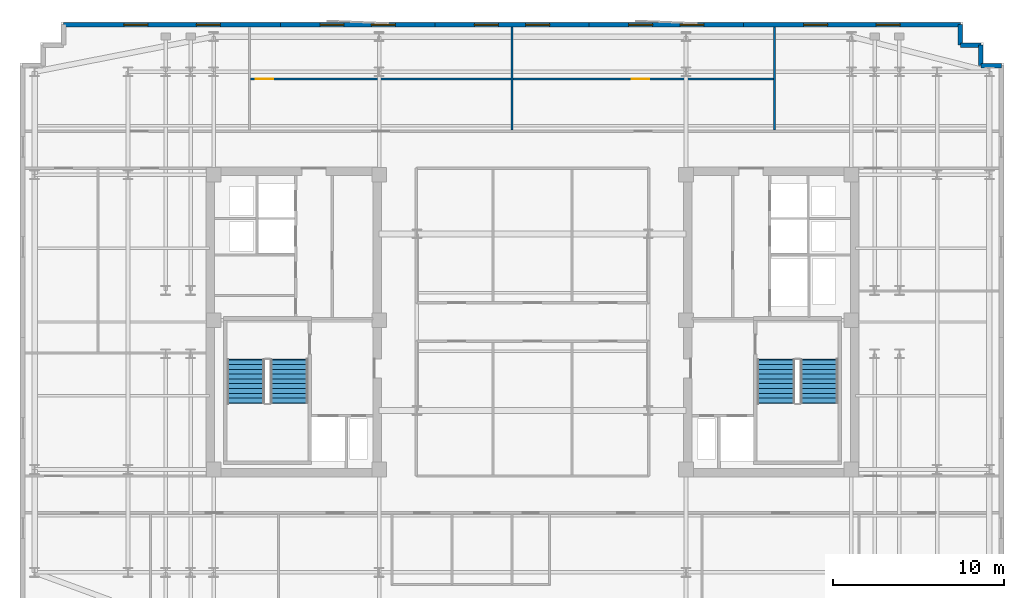
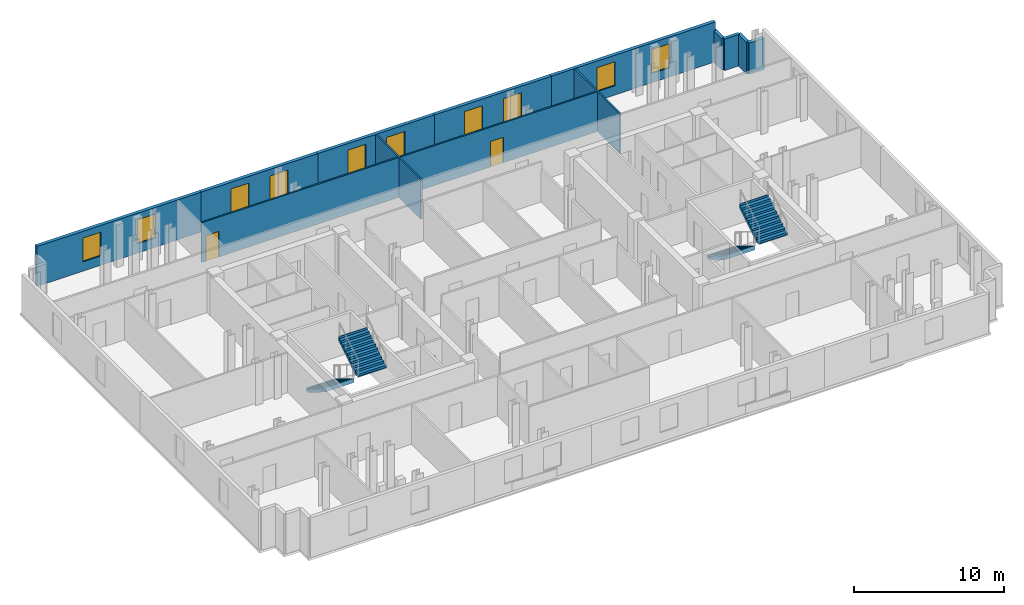
# One storey, part 7 of 9: 12 walls, 10 windows, 4 stair flights, 2 doors, 12 openings, 2 elements without a shape of their own.
"""IFC4 building model written with IfcOpenShell, lengths in metres."""

import ifcopenshell
import ifcopenshell.guid

model = None  # the IFC model being written
_history = None  # IfcOwnerHistory: only IFC2X3 demands one
_inside = {}  # id of a spatial element -> (the spatial element, [elements in it])
_under = {}  # id of a project, library or spatial element -> (it, [spatial elements below it])
_declared = {}  # id of a project -> (the project, [libraries it declares])
_typed = {}  # id of a type object -> (the type object, [elements of that type])
_made_of = {}  # id of a material, layer set ... -> (it, [elements and type objects made of it])


def new_model(schema):
    """Start an empty IFC model of exactly this schema.

    Asked for "IFC4X3", IfcOpenShell would pick the latest addendum, in which some entities
    have other attributes; the version numbers below select the first issue.
    IFC2X3 requires an IfcOwnerHistory on every rooted entity: one is made here for all.
    """
    global model, _history
    if schema == "IFC4X3":
        model = ifcopenshell.file(schema_version=(4, 3, 0, 0))
    else:
        model = ifcopenshell.file(schema=schema)
    _inside.clear()
    _under.clear()
    _declared.clear()
    _typed.clear()
    _made_of.clear()
    _history = None
    if model.schema == "IFC2X3":
        org = make("IfcOrganization", Name="unknown")
        user = make(
            "IfcPersonAndOrganization",
            ThePerson=make("IfcPerson", FamilyName="unknown"),
            TheOrganization=org,
        )
        app = make(
            "IfcApplication",
            ApplicationDeveloper=org,
            Version="unknown",
            ApplicationFullName="unknown",
            ApplicationIdentifier="unknown",
        )
        _history = make(
            "IfcOwnerHistory",
            OwningUser=user,
            OwningApplication=app,
            ChangeAction="ADDED",
            CreationDate=0,
        )
    return model


def make(cls, **values):
    """One entity of the class cls with the attributes given. An attribute that is None is left unset."""
    return model.create_entity(
        cls, **{name: value for name, value in values.items() if value is not None}
    )


def rooted(cls, **values):
    """An entity with a GlobalId (a new one), such as an element, a storey or a relation."""
    return make(cls, GlobalId=ifcopenshell.guid.new(), OwnerHistory=_history, **values)


def si_unit(unit_type, name, prefix=None):
    """IfcSIUnit, for example si_unit("LENGTHUNIT", "METRE", prefix="MILLI")."""
    return make("IfcSIUnit", UnitType=unit_type, Prefix=prefix, Name=name)


def assignment(units):
    """IfcUnitAssignment: the units of a project."""
    return None if units is None else make("IfcUnitAssignment", Units=units)


def point(xyz):
    """IfcCartesianPoint."""
    return None if xyz is None else make("IfcCartesianPoint", Coordinates=xyz)


def direction(xyz):
    """IfcDirection."""
    return None if xyz is None else make("IfcDirection", DirectionRatios=xyz)


def frame(location, z_axis=None, x_axis=None):
    """IfcAxis2Placement3D, a coordinate frame: its origin and axes. An axis left out is left unset."""
    return make(
        "IfcAxis2Placement3D",
        Location=point(location),
        Axis=direction(z_axis),
        RefDirection=direction(x_axis),
    )


def frame_2d(location, x_axis=None):
    """IfcAxis2Placement2D, a coordinate frame in the plane: its origin and x axis."""
    return make(
        "IfcAxis2Placement2D", Location=point(location), RefDirection=direction(x_axis)
    )


def origin():
    """The frame at (0, 0, 0) with its axes left unset."""
    return frame((0.0, 0.0, 0.0))


def place(relative_to, where):
    """IfcLocalPlacement: puts the frame where relative to a parent placement (None: the world)."""
    return make(
        "IfcLocalPlacement", PlacementRelTo=relative_to, RelativePlacement=where
    )


def context(
    kind, dimensions, precision=None, world=None, true_north=None, identifier=None
):
    """IfcGeometricRepresentationContext, for example the 3D "Model" context."""
    return make(
        "IfcGeometricRepresentationContext",
        ContextIdentifier=identifier,
        ContextType=kind,
        CoordinateSpaceDimension=dimensions,
        Precision=precision,
        WorldCoordinateSystem=world,
        TrueNorth=true_north,
    )


def subcontext(parent, identifier, kind, view, scale=None):
    """IfcGeometricRepresentationSubContext, for example "Body" below "Model"."""
    return make(
        "IfcGeometricRepresentationSubContext",
        ContextIdentifier=identifier,
        ContextType=kind,
        ParentContext=parent,
        TargetScale=scale,
        TargetView=view,
    )


def project(units=None, contexts=None):
    """IfcProject with its units and contexts."""
    return rooted(
        "IfcProject",
        Name="project",
        RepresentationContexts=contexts,
        UnitsInContext=assignment(units),
    )


def spatial(cls, under=None, at=None, **own):
    """A site, building, storey or space (cls), placed at a placement, below another one or the project."""
    s = rooted(cls, ObjectPlacement=at, **own)
    if under is not None:
        _under.setdefault(under.id(), (under, []))[1].append(s)
    return s


def polyline(points):
    """IfcPolyline through the points."""
    return make("IfcPolyline", Points=[point(p) for p in points])


def profile(cls, at=None, kind="AREA", **sizes):
    """A parametric profile (cls). Its sizes go by their IFC names, for example OverallWidth=200.0."""
    return make(cls, ProfileType=kind, Position=at, **sizes)


def rectangle(**sizes):
    """IfcRectangleProfileDef."""
    return profile("IfcRectangleProfileDef", **sizes)


def outline(outer, holes=None, kind="AREA"):
    """IfcArbitraryClosedProfileDef: a profile drawn as a closed curve; with holes, ...WithVoids."""
    if holes is None:
        return make("IfcArbitraryClosedProfileDef", ProfileType=kind, OuterCurve=outer)
    return make(
        "IfcArbitraryProfileDefWithVoids",
        ProfileType=kind,
        OuterCurve=outer,
        InnerCurves=holes,
    )


def extrude(swept, where, along, depth):
    """IfcExtrudedAreaSolid: the profile swept, set in the frame where, extruded along a direction by depth."""
    return make(
        "IfcExtrudedAreaSolid",
        SweptArea=swept,
        Position=where,
        ExtrudedDirection=direction(along),
        Depth=depth,
    )


def shape(context_of_items, identifier, shape_type, items):
    """IfcShapeRepresentation: the items that make up one representation, for example the "Body"."""
    return make(
        "IfcShapeRepresentation",
        ContextOfItems=context_of_items,
        RepresentationIdentifier=identifier,
        RepresentationType=shape_type,
        Items=items,
    )


def material(Name=None, Category=None):
    """IfcMaterial."""
    return make("IfcMaterial", Name=Name, Category=Category)


def layer(
    of_material, thickness, ventilated=None, Name=None, Category=None, Priority=None
):
    """IfcMaterialLayer: one layer of a wall or slab, of a material (None: an air gap)."""
    return make(
        "IfcMaterialLayer",
        Material=of_material,
        LayerThickness=thickness,
        IsVentilated=ventilated,
        Name=Name,
        Category=Category,
        Priority=Priority,
    )


def layer_set(layers, Name=None):
    """IfcMaterialLayerSet."""
    return make("IfcMaterialLayerSet", MaterialLayers=layers, LayerSetName=Name)


def made_of(thing, what):
    """Note that an element or type object is made of a material, layer set ...; save() writes the relation."""
    if what is not None:
        _made_of.setdefault(what.id(), (what, []))[1].append(thing)
    return thing


def type_object(cls, material=None, **own):
    """A type object (cls), such as IfcWallType, which elements share."""
    return made_of(rooted(cls, **own), material)


def element(
    cls,
    number,
    at=None,
    inside=None,
    cuts=None,
    type_object=None,
    material=None,
    context=None,
    identifier="Body",
    shape_type=None,
    held_by="IfcProductDefinitionShape",
    body=None,
    shapes=None,
    **own,
):
    """One element of the class cls, such as IfcWall. Its Tag is "e" and its number.

    at: its placement. inside: the storey or other place that contains it. cuts: it is an
    opening in that element (IfcRelVoidsElement). A single representation is given by context,
    identifier, shape_type and body (its items); several are given by shapes. held_by: the class
    of the entity that holds the representations. save() writes the other relations.
    """
    e = rooted(cls, Tag="e%d" % number, ObjectPlacement=at, **own)
    if body is not None:
        shapes = [shape(context, identifier, shape_type, body)]
    if shapes is not None:
        e.Representation = make(held_by, Representations=shapes)
    if inside is not None:
        _inside.setdefault(inside.id(), (inside, []))[1].append(e)
    if cuts is not None:
        rooted(
            "IfcRelVoidsElement", RelatingBuildingElement=cuts, RelatedOpeningElement=e
        )
    if type_object is not None:
        _typed.setdefault(type_object.id(), (type_object, []))[1].append(e)
    return made_of(e, material)


def fill(opening, filler):
    """IfcRelFillsElement: the door or window that sits in an opening."""
    return rooted(
        "IfcRelFillsElement",
        RelatingOpeningElement=opening,
        RelatedBuildingElement=filler,
    )


def aggregate(whole, parts):
    """IfcRelAggregates: a whole, such as a stair, and the parts it consists of."""
    return rooted("IfcRelAggregates", RelatingObject=whole, RelatedObjects=parts)


def save(model, path):
    """Write the relations noted so far, then the file.

    IfcRelAggregates (storeys below a building ...), IfcRelContainedInSpatialStructure (elements
    in a storey), IfcRelDefinesByType, IfcRelAssociatesMaterial and IfcRelDeclares: one each for
    every whole, place, type object, material and project.
    """
    for whole, parts in _under.values():
        aggregate(whole, parts)
    for where, things in _inside.values():
        rooted(
            "IfcRelContainedInSpatialStructure",
            RelatedElements=things,
            RelatingStructure=where,
        )
    for kind, things in _typed.values():
        rooted("IfcRelDefinesByType", RelatedObjects=things, RelatingType=kind)
    for what, things in _made_of.values():
        rooted("IfcRelAssociatesMaterial", RelatedObjects=things, RelatingMaterial=what)
    for by, libraries in _declared.values():
        rooted("IfcRelDeclares", RelatingContext=by, RelatedDefinitions=libraries)
    model.write(path)


model = new_model("IFC4")

# Units and contexts
model_context = context("Model", 3, precision=1e-05, world=origin(), true_north=direction((0.0, 1.0)))
body_context = subcontext(model_context, "Body", "Model", "MODEL_VIEW")
ifc_project = project(units=[si_unit("LENGTHUNIT", "METRE"), si_unit("AREAUNIT", "SQUARE_METRE"), si_unit("VOLUMEUNIT", "CUBIC_METRE"), si_unit("PLANEANGLEUNIT", "RADIAN"), si_unit("MASSUNIT", "GRAM", prefix="KILO")], contexts=[model_context])

# Site, building, storey
site_placement = place(None, origin())
site = spatial("IfcSite", under=ifc_project, at=site_placement, CompositionType="ELEMENT")
building_placement = place(site_placement, origin())
building = spatial("IfcBuilding", under=site, at=building_placement, Name="Velakula Bourse", CompositionType="ELEMENT")
storey_placement = place(building_placement, frame((0.0, 0.0, 229.199951171875)))
storey = spatial("IfcBuildingStorey", under=building, at=storey_placement, Name="L62", CompositionType="ELEMENT", Elevation=229.199951171875)

# Wall, openings, windows
ifc_material_1 = material(Name="Buff kilned clay facing brick masonry", Category="masonry")
ifc_layer_1 = layer(ifc_material_1, 0.260009765625, Name="Buff kilned clay facing brick masonry", Category="masonry")
ifc_layer_set_1 = layer_set([ifc_layer_1], Name="Buff kilned clay facing brick masonry")
wall_type_1 = type_object("IfcWallType", Name="WL-EXT-BRK-260", PredefinedType="STANDARD", material=ifc_layer_set_1)
wall_1_placement = place(storey_placement, frame((-27.35009765625, 17.35009765625, 0.0), z_axis=(0.0, 0.0, 1.0), x_axis=(1.0, 0.0, 0.0)))
wall_1 = element("IfcWall", 1, at=wall_1_placement, inside=storey, type_object=wall_type_1, Name="L62 N Brick Spandrel Wall B1", PredefinedType="STANDARD", context=body_context, shape_type="SweptSolid", body=[
    extrude(rectangle(XDim=12.650146484375, YDim=0.260009765625, at=frame_2d((6.3251953125, 0.0))), origin(), (0.0, 0.0, 1.0), 3.25),
])
opening_1_placement = place(wall_1_placement, frame((3.5166015625, 0.0, 0.760009765625)))
opening_1 = element("IfcOpeningElement", 2, at=opening_1_placement, cuts=wall_1, Name="Opening W-03", PredefinedType="OPENING", context=body_context, shape_type="SweptSolid", body=[
    extrude(rectangle(XDim=1.39990234375, YDim=1.949951171875, at=frame_2d((0.699951171875, 0.97509765625))), frame((0.0, 0.139892578125, 0.0), z_axis=(0.0, -1.0, 0.0), x_axis=(1.0, 0.0, 0.0)), (0.0, 0.0, 1.0), 0.280029296875),
])
opening_2_placement = place(wall_1_placement, frame((7.7333984375, 0.0, 0.760009765625)))
opening_2 = element("IfcOpeningElement", 3, at=opening_2_placement, cuts=wall_1, Name="Opening W-03", PredefinedType="OPENING", context=body_context, shape_type="SweptSolid", body=[
    extrude(rectangle(XDim=1.39990234375, YDim=1.949951171875, at=frame_2d((0.699951171875, 0.97509765625))), frame((0.0, 0.139892578125, 0.0), z_axis=(0.0, -1.0, 0.0), x_axis=(1.0, 0.0, 0.0)), (0.0, 0.0, 1.0), 0.280029296875),
])
ifc_material_2 = material(Name="Double-glazed solar-control Low-E glass", Category="glass")
window_type = type_object("IfcWindowType", Name="WIN-TWR-1400x2100", PartitioningType="SINGLE_PANEL", PredefinedType="WINDOW", material=ifc_material_2)
window_1_placement = place(opening_1_placement, origin())
window_1 = element("IfcWindow", 4, at=window_1_placement, inside=storey, type_object=window_type, Name="L62 Deep-Set Recessed Window 1", OverallHeight=1.949951171875, OverallWidth=1.39990234375, PartitioningType="SINGLE_PANEL", PredefinedType="WINDOW", context=body_context, shape_type="SweptSolid", body=[
    extrude(rectangle(XDim=1.39990234375, YDim=1.949951171875, at=frame_2d((0.699951171875, 0.97509765625))), frame((0.0, 0.030029296875, 0.0), z_axis=(0.0, -1.0, 0.0), x_axis=(1.0, 0.0, 0.0)), (0.0, 0.0, 1.0), 0.06005859375),
])
fill(opening_1, window_1)
window_2_placement = place(opening_2_placement, origin())
window_2 = element("IfcWindow", 5, at=window_2_placement, inside=storey, type_object=window_type, Name="L62 Deep-Set Recessed Window 2", OverallHeight=1.949951171875, OverallWidth=1.39990234375, PartitioningType="SINGLE_PANEL", PredefinedType="WINDOW", context=body_context, shape_type="SweptSolid", body=[
    extrude(rectangle(XDim=1.39990234375, YDim=1.949951171875, at=frame_2d((0.699951171875, 0.97509765625))), frame((0.0, 0.030029296875, 0.0), z_axis=(0.0, -1.0, 0.0), x_axis=(1.0, 0.0, 0.0)), (0.0, 0.0, 1.0), 0.06005859375),
])
fill(opening_2, window_2)

wall_2_placement = place(storey_placement, frame((-14.699951171875, 17.35009765625, 0.0), z_axis=(0.0, 0.0, 1.0), x_axis=(1.0, 0.0, 0.0)))
wall_2 = element("IfcWall", 6, at=wall_2_placement, inside=storey, type_object=wall_type_1, Name="L62 N Brick Spandrel Wall B2", PredefinedType="STANDARD", context=body_context, shape_type="SweptSolid", body=[
    extrude(rectangle(XDim=9.0, YDim=0.260009765625, at=frame_2d((4.5, 0.0))), origin(), (0.0, 0.0, 1.0), 3.25),
])
opening_3_placement = place(wall_2_placement, frame((2.300048828125, 0.0, 0.760009765625)))
opening_3 = element("IfcOpeningElement", 7, at=opening_3_placement, cuts=wall_2, Name="Opening W-03", PredefinedType="OPENING", context=body_context, shape_type="SweptSolid", body=[
    extrude(rectangle(XDim=1.39990234375, YDim=1.949951171875, at=frame_2d((0.699951171875, 0.97509765625))), frame((0.0, 0.139892578125, 0.0), z_axis=(0.0, -1.0, 0.0), x_axis=(1.0, 0.0, 0.0)), (0.0, 0.0, 1.0), 0.280029296875),
])
opening_4_placement = place(wall_2_placement, frame((5.300048828125, 0.0, 0.760009765625)))
opening_4 = element("IfcOpeningElement", 8, at=opening_4_placement, cuts=wall_2, Name="Opening W-03", PredefinedType="OPENING", context=body_context, shape_type="SweptSolid", body=[
    extrude(rectangle(XDim=1.39990234375, YDim=1.949951171875, at=frame_2d((0.699951171875, 0.97509765625))), frame((0.0, 0.139892578125, 0.0), z_axis=(0.0, -1.0, 0.0), x_axis=(1.0, 0.0, 0.0)), (0.0, 0.0, 1.0), 0.280029296875),
])
window_3_placement = place(opening_3_placement, origin())
window_3 = element("IfcWindow", 9, at=window_3_placement, inside=storey, type_object=window_type, Name="L62 Deep-Set Recessed Window 1", OverallHeight=1.949951171875, OverallWidth=1.39990234375, PartitioningType="SINGLE_PANEL", PredefinedType="WINDOW", context=body_context, shape_type="SweptSolid", body=[
    extrude(rectangle(XDim=1.39990234375, YDim=1.949951171875, at=frame_2d((0.699951171875, 0.97509765625))), frame((0.0, 0.030029296875, 0.0), z_axis=(0.0, -1.0, 0.0), x_axis=(1.0, 0.0, 0.0)), (0.0, 0.0, 1.0), 0.06005859375),
])
fill(opening_3, window_3)
window_4_placement = place(opening_4_placement, origin())
window_4 = element("IfcWindow", 10, at=window_4_placement, inside=storey, type_object=window_type, Name="L62 Deep-Set Recessed Window 2", OverallHeight=1.949951171875, OverallWidth=1.39990234375, PartitioningType="SINGLE_PANEL", PredefinedType="WINDOW", context=body_context, shape_type="SweptSolid", body=[
    extrude(rectangle(XDim=1.39990234375, YDim=1.949951171875, at=frame_2d((0.699951171875, 0.97509765625))), frame((0.0, 0.030029296875, 0.0), z_axis=(0.0, -1.0, 0.0), x_axis=(1.0, 0.0, 0.0)), (0.0, 0.0, 1.0), 0.06005859375),
])
fill(opening_4, window_4)

wall_3_placement = place(storey_placement, frame((-5.699951171875, 17.35009765625, 0.0), z_axis=(0.0, 0.0, 1.0), x_axis=(1.0, 0.0, 0.0)))
wall_3 = element("IfcWall", 11, at=wall_3_placement, inside=storey, type_object=wall_type_1, Name="L62 N Brick Spandrel Wall B3", PredefinedType="STANDARD", context=body_context, shape_type="SweptSolid", body=[
    extrude(rectangle(XDim=9.0, YDim=0.260009765625, at=frame_2d((4.5, 0.0))), origin(), (0.0, 0.0, 1.0), 3.25),
])
opening_5_placement = place(wall_3_placement, frame((2.300048828125, 0.0, 0.760009765625)))
opening_5 = element("IfcOpeningElement", 12, at=opening_5_placement, cuts=wall_3, Name="Opening W-03", PredefinedType="OPENING", context=body_context, shape_type="SweptSolid", body=[
    extrude(rectangle(XDim=1.39990234375, YDim=1.949951171875, at=frame_2d((0.699951171875, 0.97509765625))), frame((0.0, 0.139892578125, 0.0), z_axis=(0.0, -1.0, 0.0), x_axis=(1.0, 0.0, 0.0)), (0.0, 0.0, 1.0), 0.280029296875),
])
opening_6_placement = place(wall_3_placement, frame((5.300048828125, 0.0, 0.760009765625)))
opening_6 = element("IfcOpeningElement", 13, at=opening_6_placement, cuts=wall_3, Name="Opening W-03", PredefinedType="OPENING", context=body_context, shape_type="SweptSolid", body=[
    extrude(rectangle(XDim=1.39990234375, YDim=1.949951171875, at=frame_2d((0.699951171875, 0.97509765625))), frame((0.0, 0.139892578125, 0.0), z_axis=(0.0, -1.0, 0.0), x_axis=(1.0, 0.0, 0.0)), (0.0, 0.0, 1.0), 0.280029296875),
])
window_5_placement = place(opening_5_placement, origin())
window_5 = element("IfcWindow", 14, at=window_5_placement, inside=storey, type_object=window_type, Name="L62 Deep-Set Recessed Window 1", OverallHeight=1.949951171875, OverallWidth=1.39990234375, PartitioningType="SINGLE_PANEL", PredefinedType="WINDOW", context=body_context, shape_type="SweptSolid", body=[
    extrude(rectangle(XDim=1.39990234375, YDim=1.949951171875, at=frame_2d((0.699951171875, 0.97509765625))), frame((0.0, 0.030029296875, 0.0), z_axis=(0.0, -1.0, 0.0), x_axis=(1.0, 0.0, 0.0)), (0.0, 0.0, 1.0), 0.06005859375),
])
fill(opening_5, window_5)
window_6_placement = place(opening_6_placement, origin())
window_6 = element("IfcWindow", 15, at=window_6_placement, inside=storey, type_object=window_type, Name="L62 Deep-Set Recessed Window 2", OverallHeight=1.949951171875, OverallWidth=1.39990234375, PartitioningType="SINGLE_PANEL", PredefinedType="WINDOW", context=body_context, shape_type="SweptSolid", body=[
    extrude(rectangle(XDim=1.39990234375, YDim=1.949951171875, at=frame_2d((0.699951171875, 0.97509765625))), frame((0.0, 0.030029296875, 0.0), z_axis=(0.0, -1.0, 0.0), x_axis=(1.0, 0.0, 0.0)), (0.0, 0.0, 1.0), 0.06005859375),
])
fill(opening_6, window_6)

wall_4_placement = place(storey_placement, frame((3.300048828125, 17.35009765625, 0.0), z_axis=(0.0, 0.0, 1.0), x_axis=(1.0, 0.0, 0.0)))
wall_4 = element("IfcWall", 16, at=wall_4_placement, inside=storey, type_object=wall_type_1, Name="L62 N Brick Spandrel Wall B4", PredefinedType="STANDARD", context=body_context, shape_type="SweptSolid", body=[
    extrude(rectangle(XDim=9.0, YDim=0.260009765625, at=frame_2d((4.5, 0.0))), origin(), (0.0, 0.0, 1.0), 3.25),
])
opening_7_placement = place(wall_4_placement, frame((2.300048828125, 0.0, 0.760009765625)))
opening_7 = element("IfcOpeningElement", 17, at=opening_7_placement, cuts=wall_4, Name="Opening W-03", PredefinedType="OPENING", context=body_context, shape_type="SweptSolid", body=[
    extrude(rectangle(XDim=1.39990234375, YDim=1.949951171875, at=frame_2d((0.699951171875, 0.97509765625))), frame((0.0, 0.139892578125, 0.0), z_axis=(0.0, -1.0, 0.0), x_axis=(1.0, 0.0, 0.0)), (0.0, 0.0, 1.0), 0.280029296875),
])
opening_8_placement = place(wall_4_placement, frame((5.300048828125, 0.0, 0.760009765625)))
opening_8 = element("IfcOpeningElement", 18, at=opening_8_placement, cuts=wall_4, Name="Opening W-03", PredefinedType="OPENING", context=body_context, shape_type="SweptSolid", body=[
    extrude(rectangle(XDim=1.39990234375, YDim=1.949951171875, at=frame_2d((0.699951171875, 0.97509765625))), frame((0.0, 0.139892578125, 0.0), z_axis=(0.0, -1.0, 0.0), x_axis=(1.0, 0.0, 0.0)), (0.0, 0.0, 1.0), 0.280029296875),
])
window_7_placement = place(opening_7_placement, origin())
window_7 = element("IfcWindow", 19, at=window_7_placement, inside=storey, type_object=window_type, Name="L62 Deep-Set Recessed Window 1", OverallHeight=1.949951171875, OverallWidth=1.39990234375, PartitioningType="SINGLE_PANEL", PredefinedType="WINDOW", context=body_context, shape_type="SweptSolid", body=[
    extrude(rectangle(XDim=1.39990234375, YDim=1.949951171875, at=frame_2d((0.699951171875, 0.97509765625))), frame((0.0, 0.030029296875, 0.0), z_axis=(0.0, -1.0, 0.0), x_axis=(1.0, 0.0, 0.0)), (0.0, 0.0, 1.0), 0.06005859375),
])
fill(opening_7, window_7)
window_8_placement = place(opening_8_placement, origin())
window_8 = element("IfcWindow", 20, at=window_8_placement, inside=storey, type_object=window_type, Name="L62 Deep-Set Recessed Window 2", OverallHeight=1.949951171875, OverallWidth=1.39990234375, PartitioningType="SINGLE_PANEL", PredefinedType="WINDOW", context=body_context, shape_type="SweptSolid", body=[
    extrude(rectangle(XDim=1.39990234375, YDim=1.949951171875, at=frame_2d((0.699951171875, 0.97509765625))), frame((0.0, 0.030029296875, 0.0), z_axis=(0.0, -1.0, 0.0), x_axis=(1.0, 0.0, 0.0)), (0.0, 0.0, 1.0), 0.06005859375),
])
fill(opening_8, window_8)

wall_5_placement = place(storey_placement, frame((12.300048828125, 17.35009765625, 0.0), z_axis=(0.0, 0.0, 1.0), x_axis=(1.0, 0.0, 0.0)))
wall_5 = element("IfcWall", 21, at=wall_5_placement, inside=storey, type_object=wall_type_1, Name="L62 N Brick Spandrel Wall B5", PredefinedType="STANDARD", context=body_context, shape_type="SweptSolid", body=[
    extrude(rectangle(XDim=12.64990234375, YDim=0.260009765625, at=frame_2d((6.324951171875, 0.0))), origin(), (0.0, 0.0, 1.0), 3.25),
])
opening_9_placement = place(wall_5_placement, frame((3.5166015625, 0.0, 0.760009765625)))
opening_9 = element("IfcOpeningElement", 22, at=opening_9_placement, cuts=wall_5, Name="Opening W-03", PredefinedType="OPENING", context=body_context, shape_type="SweptSolid", body=[
    extrude(rectangle(XDim=1.39990234375, YDim=1.949951171875, at=frame_2d((0.699951171875, 0.97509765625))), frame((0.0, 0.139892578125, 0.0), z_axis=(0.0, -1.0, 0.0), x_axis=(1.0, 0.0, 0.0)), (0.0, 0.0, 1.0), 0.280029296875),
])
opening_10_placement = place(wall_5_placement, frame((7.7333984375, 0.0, 0.760009765625)))
opening_10 = element("IfcOpeningElement", 23, at=opening_10_placement, cuts=wall_5, Name="Opening W-03", PredefinedType="OPENING", context=body_context, shape_type="SweptSolid", body=[
    extrude(rectangle(XDim=1.39990234375, YDim=1.949951171875, at=frame_2d((0.699951171875, 0.97509765625))), frame((0.0, 0.139892578125, 0.0), z_axis=(0.0, -1.0, 0.0), x_axis=(1.0, 0.0, 0.0)), (0.0, 0.0, 1.0), 0.280029296875),
])
window_9_placement = place(opening_9_placement, origin())
window_9 = element("IfcWindow", 24, at=window_9_placement, inside=storey, type_object=window_type, Name="L62 Deep-Set Recessed Window 1", OverallHeight=1.949951171875, OverallWidth=1.39990234375, PartitioningType="SINGLE_PANEL", PredefinedType="WINDOW", context=body_context, shape_type="SweptSolid", body=[
    extrude(rectangle(XDim=1.39990234375, YDim=1.949951171875, at=frame_2d((0.699951171875, 0.97509765625))), frame((0.0, 0.030029296875, 0.0), z_axis=(0.0, -1.0, 0.0), x_axis=(1.0, 0.0, 0.0)), (0.0, 0.0, 1.0), 0.06005859375),
])
fill(opening_9, window_9)
window_10_placement = place(opening_10_placement, origin())
window_10 = element("IfcWindow", 25, at=window_10_placement, inside=storey, type_object=window_type, Name="L62 Deep-Set Recessed Window 2", OverallHeight=1.949951171875, OverallWidth=1.39990234375, PartitioningType="SINGLE_PANEL", PredefinedType="WINDOW", context=body_context, shape_type="SweptSolid", body=[
    extrude(rectangle(XDim=1.39990234375, YDim=1.949951171875, at=frame_2d((0.699951171875, 0.97509765625))), frame((0.0, 0.030029296875, 0.0), z_axis=(0.0, -1.0, 0.0), x_axis=(1.0, 0.0, 0.0)), (0.0, 0.0, 1.0), 0.06005859375),
])
fill(opening_10, window_10)

# Walls
wall_6_placement = place(storey_placement, frame((27.35009765625, 14.949951171875, 0.0), z_axis=(0.0, 0.0, 1.0), x_axis=(-1.0, 0.0, 0.0)))
element("IfcWall", 26, at=wall_6_placement, inside=storey, type_object=wall_type_1, Name="L62 Serrated Corner Brick Wall NE-1", PredefinedType="STANDARD", context=body_context, shape_type="SweptSolid", body=[
    extrude(rectangle(XDim=1.2001953125, YDim=0.260009765625, at=frame_2d((0.60009765625, 0.0))), origin(), (0.0, 0.0, 1.0), 2.56494140625),
])
for number, where, z_axis, x_axis, name in (
    (27, (26.14990234375, 14.949951171875, 0.0), (0.0, 0.0, 1.0), (0.0, 1.0, 0.0), "L62 Serrated Corner Brick Wall NE-2"),
    (28, (26.14990234375, 16.14990234375, 0.0), (0.0, 0.0, 1.0), (-1.0, 0.0, 0.0), "L62 Serrated Corner Brick Wall NE-3"),
):
    element("IfcWall", number, at=place(storey_placement, frame(where, z_axis=z_axis, x_axis=x_axis)), inside=storey, type_object=wall_type_1, Name=name, PredefinedType="STANDARD", context=body_context, shape_type="SweptSolid", body=[
        extrude(rectangle(XDim=1.199951171875, YDim=0.260009765625, at=frame_2d((0.60009765625, 0.0))), origin(), (0.0, 0.0, 1.0), 2.56494140625),
    ])
wall_7_placement = place(storey_placement, frame((24.949951171875, 16.14990234375, 0.0), z_axis=(0.0, 0.0, 1.0), x_axis=(0.0, 1.0, 0.0)))
element("IfcWall", 29, at=wall_7_placement, inside=storey, type_object=wall_type_1, Name="L62 Serrated Corner Brick Wall NE-4", PredefinedType="STANDARD", context=body_context, shape_type="SweptSolid", body=[
    extrude(rectangle(XDim=1.2001953125, YDim=0.260009765625, at=frame_2d((0.60009765625, 0.0))), origin(), (0.0, 0.0, 1.0), 2.56494140625),
])
ifc_material_3 = material(Name="Fire-rated double-layer gypsum drywall partition", Category="gypsum")
ifc_layer_2 = layer(ifc_material_3, 0.1201171875, Name="Fire-rated double-layer gypsum drywall partition", Category="gypsum")
ifc_layer_set_2 = layer_set([ifc_layer_2], Name="Fire-rated double-layer gypsum drywall partition")
wall_type_2 = type_object("IfcWallType", Name="WL-PART-120", PredefinedType="STANDARD", material=ifc_layer_set_2)
for number, where, z_axis, x_axis, name in (
    (30, (-1.199951171875, 11.18994140625, 0.0), (0.0, 0.0, 1.0), (0.0, 1.0, 0.0), "L62 Interior Partition WL-INT-L62-N-D2"),
    (31, (14.114013671875, 11.18994140625, 0.0), (0.0, 0.0, 1.0), (0.0, 1.0, 0.0), "L62 Interior Partition WL-INT-L62-N-D3"),
):
    element("IfcWall", number, at=place(storey_placement, frame(where, z_axis=z_axis, x_axis=x_axis)), inside=storey, type_object=wall_type_2, Name=name, PredefinedType="STANDARD", context=body_context, shape_type="SweptSolid", body=[
        extrude(rectangle(XDim=6.030029296875, YDim=0.1201171875, at=frame_2d((3.01513671875, 0.0))), origin(), (0.0, 0.0, 1.0), 3.25),
    ])

# Wall, openings, doors
wall_8_placement = place(storey_placement, frame((-16.4541015625, 14.175048828125, 0.0), z_axis=(0.0, 0.0, 1.0), x_axis=(1.0, 0.0, 0.0)))
wall_8 = element("IfcWall", 32, at=wall_8_placement, inside=storey, type_object=wall_type_2, Name="L62 Interior Partition WL-INT-L62-N-MID", PredefinedType="STANDARD", context=body_context, shape_type="SweptSolid", body=[
    extrude(rectangle(XDim=30.508056640625, YDim=0.1201171875, at=frame_2d((15.25390625, 0.0))), origin(), (0.0, 0.0, 1.0), 3.25),
])
opening_11_placement = place(wall_8_placement, frame((0.320068359375, 0.0, 0.0)))
opening_11 = element("IfcOpeningElement", 33, at=opening_11_placement, cuts=wall_8, Name="Opening D-OF1", PredefinedType="OPENING", context=body_context, shape_type="SweptSolid", body=[
    extrude(rectangle(XDim=1.0, YDim=2.080078125, at=frame_2d((0.5, 1.0400390625))), frame((0.0, 0.070068359375, 0.0), z_axis=(0.0, -1.0, 0.0), x_axis=(1.0, 0.0, 0.0)), (0.0, 0.0, 1.0), 0.14013671875),
])
opening_12_placement = place(wall_8_placement, frame((22.25390625, 0.0, 0.0)))
opening_12 = element("IfcOpeningElement", 34, at=opening_12_placement, cuts=wall_8, Name="Opening D-OF1", PredefinedType="OPENING", context=body_context, shape_type="SweptSolid", body=[
    extrude(rectangle(XDim=1.0, YDim=2.080078125, at=frame_2d((0.5, 1.0400390625))), frame((0.0, 0.070068359375, 0.0), z_axis=(0.0, -1.0, 0.0), x_axis=(1.0, 0.0, 0.0)), (0.0, 0.0, 1.0), 0.14013671875),
])
ifc_material_4 = material(Name="Fire-rated hardwood flush architectural door", Category="wood")
door_type = type_object("IfcDoorType", Name="DR-OFF-1000", OperationType="NOTDEFINED", PredefinedType="DOOR", material=ifc_material_4)
door_1_placement = place(opening_11_placement, origin())
door_1 = element("IfcDoor", 35, at=door_1_placement, inside=storey, type_object=door_type, Name="L62 Clearing Committee Room Door", OperationType="SINGLE_SWING_LEFT", OverallHeight=2.080078125, OverallWidth=1.0, PredefinedType="DOOR", context=body_context, shape_type="SweptSolid", body=[
    extrude(rectangle(XDim=1.0, YDim=2.080078125, at=frame_2d((0.5, 1.0400390625))), frame((0.0, 0.02490234375, 0.0), z_axis=(0.0, -1.0, 0.0), x_axis=(1.0, 0.0, 0.0)), (0.0, 0.0, 1.0), 0.050048828125),
])
fill(opening_11, door_1)
door_2_placement = place(opening_12_placement, origin())
door_2 = element("IfcDoor", 36, at=door_2_placement, inside=storey, type_object=door_type, Name="L62 Tea Room Kitchenette Door", OperationType="SINGLE_SWING_LEFT", OverallHeight=2.080078125, OverallWidth=1.0, PredefinedType="DOOR", context=body_context, shape_type="SweptSolid", body=[
    extrude(rectangle(XDim=1.0, YDim=2.080078125, at=frame_2d((0.5, 1.0400390625))), frame((0.0, 0.02490234375, 0.0), z_axis=(0.0, -1.0, 0.0), x_axis=(1.0, 0.0, 0.0)), (0.0, 0.0, 1.0), 0.050048828125),
])
fill(opening_12, door_2)

# Stair, stair flights
ifc_material_5 = material(Name="Concrete M45 (fck 45 MPa)", Category="concrete")
stair_type = type_object("IfcStairType", Name="STR-DOG-390", PredefinedType="HALF_TURN_STAIR", material=ifc_material_5)
stair_1_placement = place(storey_placement, origin())
stair_1 = element("IfcStair", 37, at=stair_1_placement, inside=storey, type_object=stair_type, Name="L62 West Core Exit Stair ST-W1", PredefinedType="HALF_TURN_STAIR")
ifc_layer_3 = layer(ifc_material_5, 0.195068359375, Name="Concrete M45 (fck 45 MPa)", Category="concrete")
ifc_layer_set_3 = layer_set([ifc_layer_3], Name="Concrete M45 (fck 45 MPa)")
stair_flight_type = type_object("IfcStairFlightType", Name="FLT-DOG-390", PredefinedType="STRAIGHT", material=ifc_layer_set_3)
stair_flight_1_placement = place(storey_placement, frame((-16.720947265625, -2.199951171875, 0.0), z_axis=(0.0, 0.0, 1.0), x_axis=(0.0, -1.0, 0.0)))
stair_flight_1 = element("IfcStairFlight", 38, at=stair_flight_1_placement, type_object=stair_flight_type, Name="ST-W1 flight 1", NumberOfRisers=10, NumberOfTreads=9, PredefinedType="STRAIGHT", RiserHeight=0.1725, TreadLength=0.28, context=body_context, shape_type="SweptSolid", body=[
    extrude(outline(polyline([(-0.044921875, -0.0400390625), (-0.044921875, -0.036865234375), (-0.044921875, -0.033935546875), (-0.044921875, -0.03076171875), (-0.044921875, -0.027587890625), (-0.044921875, -0.024658203125), (-0.044921875, -0.021484375), (-0.044921875, -0.0185546875), (-0.044921875, -0.015380859375), (-0.044921875, -0.01220703125), (-0.044921875, -0.00927734375), (-0.044921875, -0.006103515625), (-0.044921875, -0.003173828125), (-0.044921875, 0.0), (0.0, 0.0), (0.0, 0.172607421875), (0.280029296875, 0.172607421875), (0.280029296875, 0.344970703125), (0.56005859375, 0.344970703125), (0.56005859375, 0.517578125), (0.840087890625, 0.517578125), (0.840087890625, 0.68994140625), (1.1201171875, 0.68994140625), (1.1201171875, 0.862548828125), (1.39990234375, 0.862548828125), (1.39990234375, 1.034912109375), (1.679931640625, 1.034912109375), (1.679931640625, 1.20751953125), (1.9599609375, 1.20751953125), (1.9599609375, 1.3798828125), (2.239990234375, 1.3798828125), (2.239990234375, 1.552490234375), (2.52001953125, 1.552490234375), (2.52001953125, 1.72509765625), (2.56494140625, 1.72509765625), (2.56494140625, 1.7001953125), (2.56494140625, 1.67529296875), (2.56494140625, 1.650390625), (2.56494140625, 1.62548828125), (2.56494140625, 1.6005859375), (2.56494140625, 1.57568359375), (2.56494140625, 1.55078125), (2.56494140625, 1.52587890625), (2.56494140625, 1.5009765625), (2.56494140625, 1.47607421875), (2.56494140625, 1.451171875), (2.56494140625, 1.42626953125), (2.56494140625, 1.4013671875), (2.56494140625, 1.37646484375), (0.285888671875, -0.0400390625), (-0.044921875, -0.0400390625)])), frame((0.0, 1.09912109375, 0.0), z_axis=(0.0, -1.0, 0.0), x_axis=(1.0, 0.0, 0.0)), (0.0, 0.0, 1.0), 2.197998046875),
])
stair_flight_2_placement = place(storey_placement, frame((-14.198974609375, -4.719970703125, 1.72509765625), z_axis=(0.0, 0.0, 1.0), x_axis=(0.0, 1.0, 0.0)))
stair_flight_2 = element("IfcStairFlight", 39, at=stair_flight_2_placement, type_object=stair_flight_type, Name="ST-W1 flight 2", NumberOfRisers=10, NumberOfTreads=9, PredefinedType="STRAIGHT", RiserHeight=0.1725, TreadLength=0.28, context=body_context, shape_type="SweptSolid", body=[
    extrude(outline(polyline([(-0.044921875, -0.0400390625), (-0.044921875, -0.036865234375), (-0.044921875, -0.033935546875), (-0.044921875, -0.03076171875), (-0.044921875, -0.027587890625), (-0.044921875, -0.024658203125), (-0.044921875, -0.021484375), (-0.044921875, -0.0185546875), (-0.044921875, -0.015380859375), (-0.044921875, -0.01220703125), (-0.044921875, -0.00927734375), (-0.044921875, -0.006103515625), (-0.044921875, -0.003173828125), (-0.044921875, 0.0), (0.0, 0.0), (0.0, 0.172607421875), (0.280029296875, 0.172607421875), (0.280029296875, 0.344970703125), (0.56005859375, 0.344970703125), (0.56005859375, 0.517578125), (0.840087890625, 0.517578125), (0.840087890625, 0.68994140625), (1.1201171875, 0.68994140625), (1.1201171875, 0.862548828125), (1.39990234375, 0.862548828125), (1.39990234375, 1.034912109375), (1.679931640625, 1.034912109375), (1.679931640625, 1.20751953125), (1.9599609375, 1.20751953125), (1.9599609375, 1.3798828125), (2.239990234375, 1.3798828125), (2.239990234375, 1.552490234375), (2.52001953125, 1.552490234375), (2.52001953125, 1.72509765625), (2.56494140625, 1.72509765625), (2.56494140625, 1.7001953125), (2.56494140625, 1.67529296875), (2.56494140625, 1.650390625), (2.56494140625, 1.62548828125), (2.56494140625, 1.6005859375), (2.56494140625, 1.57568359375), (2.56494140625, 1.55078125), (2.56494140625, 1.52587890625), (2.56494140625, 1.5009765625), (2.56494140625, 1.47607421875), (2.56494140625, 1.451171875), (2.56494140625, 1.42626953125), (2.56494140625, 1.4013671875), (2.56494140625, 1.37646484375), (0.285888671875, -0.0400390625), (-0.044921875, -0.0400390625)])), frame((0.0, 1.09912109375, 0.0), z_axis=(0.0, -1.0, 0.0), x_axis=(1.0, 0.0, 0.0)), (0.0, 0.0, 1.0), 2.197998046875),
])
aggregate(stair_1, [stair_flight_1, stair_flight_2])

stair_2_placement = place(storey_placement, origin())
stair_2 = element("IfcStair", 40, at=stair_2_placement, inside=storey, type_object=stair_type, Name="L62 East Core Exit Stair ST-E1", PredefinedType="HALF_TURN_STAIR")
stair_flight_3_placement = place(storey_placement, frame((14.198974609375, -2.199951171875, 0.0), z_axis=(0.0, 0.0, 1.0), x_axis=(0.0, -1.0, 0.0)))
stair_flight_3 = element("IfcStairFlight", 41, at=stair_flight_3_placement, type_object=stair_flight_type, Name="ST-E1 flight 1", NumberOfRisers=10, NumberOfTreads=9, PredefinedType="STRAIGHT", RiserHeight=0.1725, TreadLength=0.28, context=body_context, shape_type="SweptSolid", body=[
    extrude(outline(polyline([(-0.044921875, -0.0400390625), (-0.044921875, -0.036865234375), (-0.044921875, -0.033935546875), (-0.044921875, -0.03076171875), (-0.044921875, -0.027587890625), (-0.044921875, -0.024658203125), (-0.044921875, -0.021484375), (-0.044921875, -0.0185546875), (-0.044921875, -0.015380859375), (-0.044921875, -0.01220703125), (-0.044921875, -0.00927734375), (-0.044921875, -0.006103515625), (-0.044921875, -0.003173828125), (-0.044921875, 0.0), (0.0, 0.0), (0.0, 0.172607421875), (0.280029296875, 0.172607421875), (0.280029296875, 0.344970703125), (0.56005859375, 0.344970703125), (0.56005859375, 0.517578125), (0.840087890625, 0.517578125), (0.840087890625, 0.68994140625), (1.1201171875, 0.68994140625), (1.1201171875, 0.862548828125), (1.39990234375, 0.862548828125), (1.39990234375, 1.034912109375), (1.679931640625, 1.034912109375), (1.679931640625, 1.20751953125), (1.9599609375, 1.20751953125), (1.9599609375, 1.3798828125), (2.239990234375, 1.3798828125), (2.239990234375, 1.552490234375), (2.52001953125, 1.552490234375), (2.52001953125, 1.72509765625), (2.56494140625, 1.72509765625), (2.56494140625, 1.7001953125), (2.56494140625, 1.67529296875), (2.56494140625, 1.650390625), (2.56494140625, 1.62548828125), (2.56494140625, 1.6005859375), (2.56494140625, 1.57568359375), (2.56494140625, 1.55078125), (2.56494140625, 1.52587890625), (2.56494140625, 1.5009765625), (2.56494140625, 1.47607421875), (2.56494140625, 1.451171875), (2.56494140625, 1.42626953125), (2.56494140625, 1.4013671875), (2.56494140625, 1.37646484375), (0.285888671875, -0.0400390625), (-0.044921875, -0.0400390625)])), frame((0.0, 1.09912109375, 0.0), z_axis=(0.0, -1.0, 0.0), x_axis=(1.0, 0.0, 0.0)), (0.0, 0.0, 1.0), 2.197998046875),
])
stair_flight_4_placement = place(storey_placement, frame((16.720947265625, -4.719970703125, 1.72509765625), z_axis=(0.0, 0.0, 1.0), x_axis=(0.0, 1.0, 0.0)))
stair_flight_4 = element("IfcStairFlight", 42, at=stair_flight_4_placement, type_object=stair_flight_type, Name="ST-E1 flight 2", NumberOfRisers=10, NumberOfTreads=9, PredefinedType="STRAIGHT", RiserHeight=0.1725, TreadLength=0.28, context=body_context, shape_type="SweptSolid", body=[
    extrude(outline(polyline([(-0.044921875, -0.0400390625), (-0.044921875, -0.036865234375), (-0.044921875, -0.033935546875), (-0.044921875, -0.03076171875), (-0.044921875, -0.027587890625), (-0.044921875, -0.024658203125), (-0.044921875, -0.021484375), (-0.044921875, -0.0185546875), (-0.044921875, -0.015380859375), (-0.044921875, -0.01220703125), (-0.044921875, -0.00927734375), (-0.044921875, -0.006103515625), (-0.044921875, -0.003173828125), (-0.044921875, 0.0), (0.0, 0.0), (0.0, 0.172607421875), (0.280029296875, 0.172607421875), (0.280029296875, 0.344970703125), (0.56005859375, 0.344970703125), (0.56005859375, 0.517578125), (0.840087890625, 0.517578125), (0.840087890625, 0.68994140625), (1.1201171875, 0.68994140625), (1.1201171875, 0.862548828125), (1.39990234375, 0.862548828125), (1.39990234375, 1.034912109375), (1.679931640625, 1.034912109375), (1.679931640625, 1.20751953125), (1.9599609375, 1.20751953125), (1.9599609375, 1.3798828125), (2.239990234375, 1.3798828125), (2.239990234375, 1.552490234375), (2.52001953125, 1.552490234375), (2.52001953125, 1.72509765625), (2.56494140625, 1.72509765625), (2.56494140625, 1.7001953125), (2.56494140625, 1.67529296875), (2.56494140625, 1.650390625), (2.56494140625, 1.62548828125), (2.56494140625, 1.6005859375), (2.56494140625, 1.57568359375), (2.56494140625, 1.55078125), (2.56494140625, 1.52587890625), (2.56494140625, 1.5009765625), (2.56494140625, 1.47607421875), (2.56494140625, 1.451171875), (2.56494140625, 1.42626953125), (2.56494140625, 1.4013671875), (2.56494140625, 1.37646484375), (0.285888671875, -0.0400390625), (-0.044921875, -0.0400390625)])), frame((0.0, 1.09912109375, 0.0), z_axis=(0.0, -1.0, 0.0), x_axis=(1.0, 0.0, 0.0)), (0.0, 0.0, 1.0), 2.197998046875),
])
aggregate(stair_2, [stair_flight_3, stair_flight_4])

save(model, "model.ifc")
